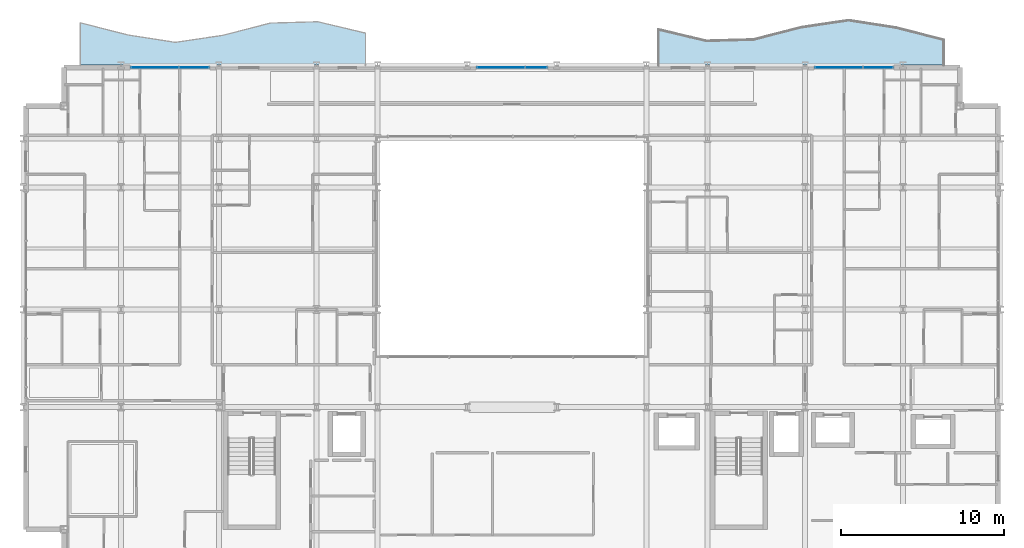
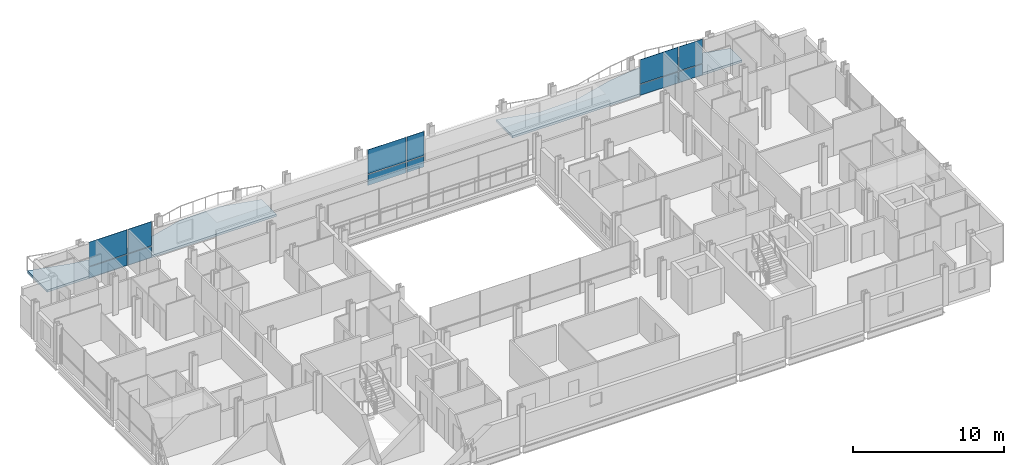
# One storey, part 29 of 41: 12 plates, 2 slabs, 3 elements without a shape of their own.
"""IFC4 building model written with IfcOpenShell, lengths in metres."""

from ifc_helpers import new_model, si_unit, direction, frame, origin, origin_2d, place, context, subcontext, project, spatial, polyline, rectangle, outline, extrude, material, layer, layer_set, type_object, element, aggregate, save


model = new_model("IFC4")

# Units and contexts
model_context = context("Model", 3, precision=1e-05, world=origin(), true_north=direction((0.0, 1.0)))
body_context = subcontext(model_context, "Body", "Model", "MODEL_VIEW")
ifc_project = project(units=[si_unit("LENGTHUNIT", "METRE"), si_unit("AREAUNIT", "SQUARE_METRE"), si_unit("VOLUMEUNIT", "CUBIC_METRE"), si_unit("PLANEANGLEUNIT", "RADIAN"), si_unit("MASSUNIT", "GRAM", prefix="KILO")], contexts=[model_context])

# Site, building, storey
site_placement = place(None, origin())
site = spatial("IfcSite", under=ifc_project, at=site_placement, CompositionType="ELEMENT")
building_placement = place(site_placement, origin())
building = spatial("IfcBuilding", under=site, at=building_placement, Name="Brevholm Reach", CompositionType="ELEMENT")
storey_placement = place(building_placement, frame((0.0, 0.0, 55.89990234375)))
storey = spatial("IfcBuildingStorey", under=building, at=storey_placement, Name="L15", CompositionType="ELEMENT", Elevation=55.89990234375)

# Curtain wall, plates
ifc_material_1 = material(Name="Dark Anodised Aluminium 6063-T6 and Solar-Control Glass", Category="aluminium")
ifc_layer_1 = layer(ifc_material_1, 0.14990234375)
ifc_layer_set_1 = layer_set([ifc_layer_1], Name="Dark Anodised Aluminium 6063-T6 and Solar-Control Glass")
curtain_wall_type = type_object("IfcCurtainWallType", Name="CW-01", PredefinedType="NOTDEFINED", material=ifc_layer_set_1)
curtain_wall_1_placement = place(storey_placement, origin())
curtain_wall_1 = element("IfcCurtainWall", 1, at=curtain_wall_1_placement, inside=storey, type_object=curtain_wall_type, Name="L15 Curtain Wall CW-01", PredefinedType="NOTDEFINED")
ifc_material_2 = material(Name="Dark Solar-Control Double-Glazed IGU Glass", Category="glass")
ifc_layer_2 = layer(ifc_material_2, 0.028076171875)
ifc_layer_set_2 = layer_set([ifc_layer_2], Name="Dark Solar-Control Double-Glazed IGU Glass")
plate_type = type_object("IfcPlateType", Name="CWP-GLZ-28", PredefinedType="CURTAIN_PANEL", material=ifc_layer_set_2)
plate_1_placement = place(storey_placement, frame((8.066162109375, 30.85009765625, 0.0), z_axis=(0.0, 0.0, 1.0), x_axis=(1.0, 0.0, 0.0)))
plate_1 = element("IfcPlate", 2, at=plate_1_placement, type_object=plate_type, Name="CP-01 Glazing Panel 1.1", PredefinedType="CURTAIN_PANEL", context=body_context, shape_type="SweptSolid", body=[
    extrude(rectangle(XDim=2.902587890625, YDim=0.028076171875, at=origin_2d()), origin(), (0.0, 0.0, 1.0), 0.867431640625),
])
plate_2_placement = place(storey_placement, frame((8.066162109375, 30.85009765625, 0.9326171875), z_axis=(0.0, 0.0, 1.0), x_axis=(1.0, 0.0, 0.0)))
plate_2 = element("IfcPlate", 3, at=plate_2_placement, type_object=plate_type, Name="CP-01 Glazing Panel 1.2", PredefinedType="CURTAIN_PANEL", context=body_context, shape_type="SweptSolid", body=[
    extrude(rectangle(XDim=2.902587890625, YDim=0.028076171875, at=origin_2d()), origin(), (0.0, 0.0, 1.0), 1.9375),
])
plate_3_placement = place(storey_placement, frame((10.483642578125, 30.85009765625, 0.0), z_axis=(0.0, 0.0, 1.0), x_axis=(1.0, 0.0, 0.0)))
plate_3 = element("IfcPlate", 4, at=plate_3_placement, type_object=plate_type, Name="CP-01 Glazing Panel 2.1", PredefinedType="CURTAIN_PANEL", context=body_context, shape_type="SweptSolid", body=[
    extrude(rectangle(XDim=1.802490234375, YDim=0.028076171875, at=origin_2d()), origin(), (0.0, 0.0, 1.0), 0.867431640625),
])
plate_4_placement = place(storey_placement, frame((10.483642578125, 30.85009765625, 0.9326171875), z_axis=(0.0, 0.0, 1.0), x_axis=(1.0, 0.0, 0.0)))
plate_4 = element("IfcPlate", 5, at=plate_4_placement, type_object=plate_type, Name="CP-01 Glazing Panel 2.2", PredefinedType="CURTAIN_PANEL", context=body_context, shape_type="SweptSolid", body=[
    extrude(rectangle(XDim=1.802490234375, YDim=0.028076171875, at=origin_2d()), origin(), (0.0, 0.0, 1.0), 1.9375),
])
aggregate(curtain_wall_1, [plate_1, plate_2, plate_3, plate_4])

curtain_wall_2_placement = place(storey_placement, origin())
curtain_wall_2 = element("IfcCurtainWall", 6, at=curtain_wall_2_placement, inside=storey, type_object=curtain_wall_type, Name="L15 Curtain Wall CW-01", PredefinedType="NOTDEFINED")
plate_5_placement = place(storey_placement, frame((29.316162109375, 30.85009765625, 0.0), z_axis=(0.0, 0.0, 1.0), x_axis=(1.0, 0.0, 0.0)))
plate_5 = element("IfcPlate", 7, at=plate_5_placement, type_object=plate_type, Name="CP-01 Glazing Panel 1.1", PredefinedType="CURTAIN_PANEL", context=body_context, shape_type="SweptSolid", body=[
    extrude(rectangle(XDim=2.902587890625, YDim=0.028076171875, at=origin_2d()), origin(), (0.0, 0.0, 1.0), 0.867431640625),
])
plate_6_placement = place(storey_placement, frame((29.316162109375, 30.85009765625, 0.9326171875), z_axis=(0.0, 0.0, 1.0), x_axis=(1.0, 0.0, 0.0)))
plate_6 = element("IfcPlate", 8, at=plate_6_placement, type_object=plate_type, Name="CP-01 Glazing Panel 1.2", PredefinedType="CURTAIN_PANEL", context=body_context, shape_type="SweptSolid", body=[
    extrude(rectangle(XDim=2.902587890625, YDim=0.028076171875, at=origin_2d()), origin(), (0.0, 0.0, 1.0), 1.9375),
])
plate_7_placement = place(storey_placement, frame((31.483642578125, 30.85009765625, 0.0), z_axis=(0.0, 0.0, 1.0), x_axis=(1.0, 0.0, 0.0)))
plate_7 = element("IfcPlate", 9, at=plate_7_placement, type_object=plate_type, Name="CP-01 Glazing Panel 2.1", PredefinedType="CURTAIN_PANEL", context=body_context, shape_type="SweptSolid", body=[
    extrude(rectangle(XDim=1.302490234375, YDim=0.028076171875, at=origin_2d()), origin(), (0.0, 0.0, 1.0), 0.867431640625),
])
plate_8_placement = place(storey_placement, frame((31.483642578125, 30.85009765625, 0.9326171875), z_axis=(0.0, 0.0, 1.0), x_axis=(1.0, 0.0, 0.0)))
plate_8 = element("IfcPlate", 10, at=plate_8_placement, type_object=plate_type, Name="CP-01 Glazing Panel 2.2", PredefinedType="CURTAIN_PANEL", context=body_context, shape_type="SweptSolid", body=[
    extrude(rectangle(XDim=1.302490234375, YDim=0.028076171875, at=origin_2d()), origin(), (0.0, 0.0, 1.0), 1.9375),
])
aggregate(curtain_wall_2, [plate_5, plate_6, plate_7, plate_8])

curtain_wall_3_placement = place(storey_placement, origin())
curtain_wall_3 = element("IfcCurtainWall", 11, at=curtain_wall_3_placement, inside=storey, type_object=curtain_wall_type, Name="L15 Curtain Wall CW-01", PredefinedType="NOTDEFINED")
plate_9_placement = place(storey_placement, frame((50.066162109375, 30.85009765625, 0.0), z_axis=(0.0, 0.0, 1.0), x_axis=(1.0, 0.0, 0.0)))
plate_9 = element("IfcPlate", 12, at=plate_9_placement, type_object=plate_type, Name="CP-01 Glazing Panel 1.1", PredefinedType="CURTAIN_PANEL", context=body_context, shape_type="SweptSolid", body=[
    extrude(rectangle(XDim=2.902587890625, YDim=0.028076171875, at=origin_2d()), origin(), (0.0, 0.0, 1.0), 0.867431640625),
])
plate_10_placement = place(storey_placement, frame((50.066162109375, 30.85009765625, 0.9326171875), z_axis=(0.0, 0.0, 1.0), x_axis=(1.0, 0.0, 0.0)))
plate_10 = element("IfcPlate", 13, at=plate_10_placement, type_object=plate_type, Name="CP-01 Glazing Panel 1.2", PredefinedType="CURTAIN_PANEL", context=body_context, shape_type="SweptSolid", body=[
    extrude(rectangle(XDim=2.902587890625, YDim=0.028076171875, at=origin_2d()), origin(), (0.0, 0.0, 1.0), 1.9375),
])
plate_11_placement = place(storey_placement, frame((52.483642578125, 30.85009765625, 0.0), z_axis=(0.0, 0.0, 1.0), x_axis=(1.0, 0.0, 0.0)))
plate_11 = element("IfcPlate", 14, at=plate_11_placement, type_object=plate_type, Name="CP-01 Glazing Panel 2.1", PredefinedType="CURTAIN_PANEL", context=body_context, shape_type="SweptSolid", body=[
    extrude(rectangle(XDim=1.802490234375, YDim=0.028076171875, at=origin_2d()), origin(), (0.0, 0.0, 1.0), 0.867431640625),
])
plate_12_placement = place(storey_placement, frame((52.483642578125, 30.85009765625, 0.9326171875), z_axis=(0.0, 0.0, 1.0), x_axis=(1.0, 0.0, 0.0)))
plate_12 = element("IfcPlate", 15, at=plate_12_placement, type_object=plate_type, Name="CP-01 Glazing Panel 2.2", PredefinedType="CURTAIN_PANEL", context=body_context, shape_type="SweptSolid", body=[
    extrude(rectangle(XDim=1.802490234375, YDim=0.028076171875, at=origin_2d()), origin(), (0.0, 0.0, 1.0), 1.9375),
])
aggregate(curtain_wall_3, [plate_9, plate_10, plate_11, plate_12])

# Slabs
ifc_material_3 = material(Name="Precast Concrete C40/50", Category="concrete")
ifc_layer_3 = layer(ifc_material_3, 0.179931640625)
ifc_layer_set_3 = layer_set([ifc_layer_3], Name="Precast Concrete C40/50")
slab_type = type_object("IfcSlabType", Name="SLB-BAL-180", PredefinedType="FLOOR", material=ifc_layer_set_3)
slab_1_placement = place(storey_placement, frame((0.0, 0.0, -0.179931640625)))
element("IfcSlab", 16, at=slab_1_placement, inside=storey, type_object=slab_type, Name="L15 Rippling External Balcony NE", PredefinedType="FLOOR", context=body_context, shape_type="SweptSolid", body=[
    extrude(outline(polyline([(39.0, 31.0), (56.5, 31.0), (56.5, 32.55029296875), (53.583251953125, 33.294921875), (50.666748046875, 33.75), (47.75, 33.31689453125), (44.833251953125, 32.565673828125), (41.916748046875, 32.484619140625), (39.0, 33.1806640625), (39.0, 31.0)])), origin(), (0.0, 0.0, 1.0), 0.179931640625),
])
slab_2_placement = place(storey_placement, frame((0.0, 0.0, -0.179931640625)))
element("IfcSlab", 17, at=slab_2_placement, inside=storey, type_object=slab_type, Name="L15 Rippling External Balcony NW", PredefinedType="FLOOR", context=body_context, shape_type="SweptSolid", body=[
    extrude(outline(polyline([(3.5, 31.0), (21.0, 31.0), (21.0, 32.969482421875), (18.083251953125, 33.665283203125), (15.166748046875, 33.58447265625), (12.25, 32.8330078125), (9.333251953125, 32.400146484375), (6.416748046875, 32.855224609375), (3.5, 33.599609375), (3.5, 31.0)])), origin(), (0.0, 0.0, 1.0), 0.179931640625),
])

save(model, "model.ifc")
